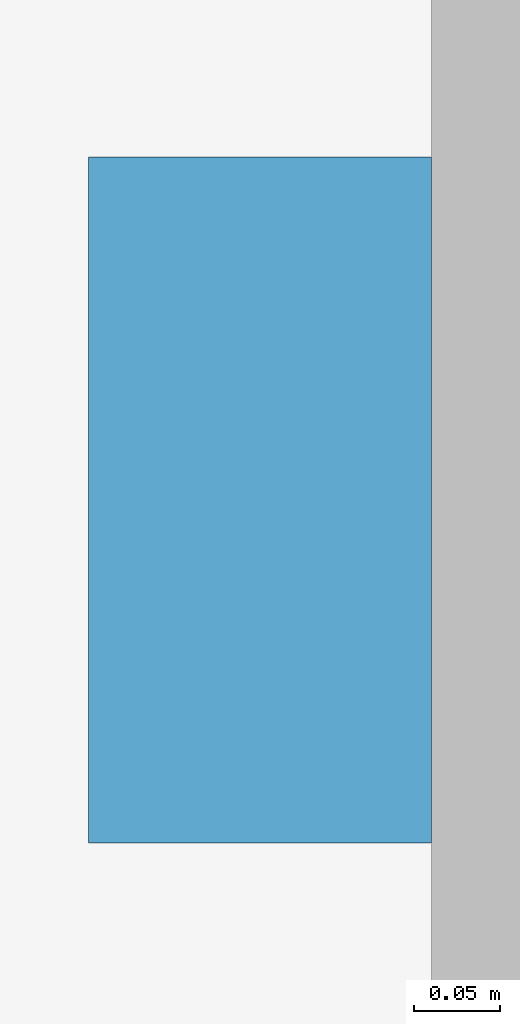
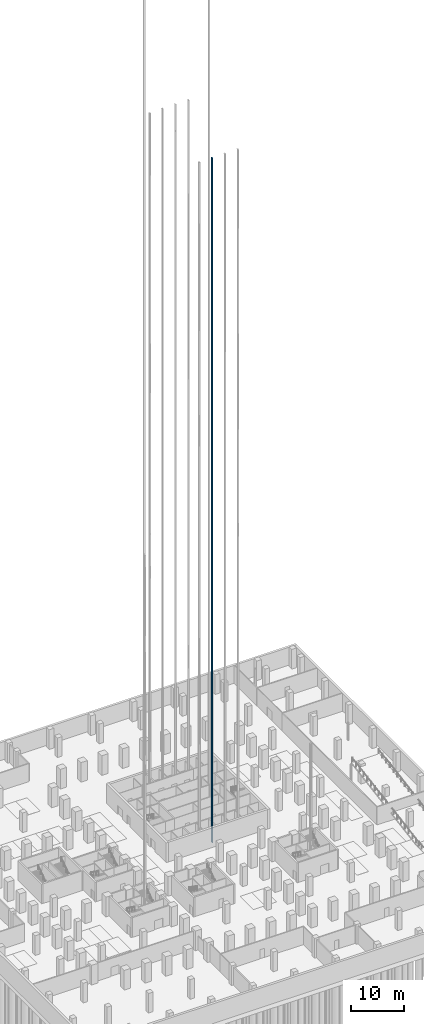
# One storey, part 24 of 37: 1 discrete accessory.
"""IFC4 building model written with IfcOpenShell, lengths in metres."""

from ifc_helpers import new_model, si_unit, direction, frame, origin, origin_2d, place, context, subcontext, project, spatial, rectangle, extrude, material, element, save


model = new_model("IFC4")

# Units and contexts
model_context = context("Model", 3, precision=1e-05, world=origin(), true_north=direction((0.0, 1.0)))
body_context = subcontext(model_context, "Body", "Model", "MODEL_VIEW")
ifc_project = project(units=[si_unit("LENGTHUNIT", "METRE"), si_unit("AREAUNIT", "SQUARE_METRE"), si_unit("VOLUMEUNIT", "CUBIC_METRE"), si_unit("PLANEANGLEUNIT", "RADIAN"), si_unit("MASSUNIT", "GRAM", prefix="KILO")], contexts=[model_context])

# Site, building, storey
site_placement = place(None, origin())
site = spatial("IfcSite", under=ifc_project, at=site_placement, CompositionType="ELEMENT")
building_placement = place(site_placement, origin())
building = spatial("IfcBuilding", under=site, at=building_placement, Name="Quoin Convention Tower", CompositionType="ELEMENT")
storey_placement = place(building_placement, frame((0.0, 0.0, -9.0)))
storey = spatial("IfcBuildingStorey", under=building, at=storey_placement, Name="B2", CompositionType="ELEMENT", Elevation=-9.0)

# Discrete accessory
ifc_material = material(Name="Galvanised steel", Category="steel")
discrete_accessory_placement = place(storey_placement, frame((56.050048828125, 51.449951171875, -0.349853515625), z_axis=(0.0, 0.0, 1.0), x_axis=(1.0, 0.0, 0.0)))
element("IfcDiscreteAccessory", 1, at=discrete_accessory_placement, inside=storey, material=ifc_material, Name="LIFT GUIDE RAILS L2", ObjectType="Lift guide rails", PredefinedType="USERDEFINED", context=body_context, shape_type="SweptSolid", body=[
    extrude(rectangle(XDim=0.199951171875, YDim=0.39990234375, at=origin_2d()), origin(), (0.0, 0.0, 1.0), 156.89990234375),
])

save(model, "model.ifc")
